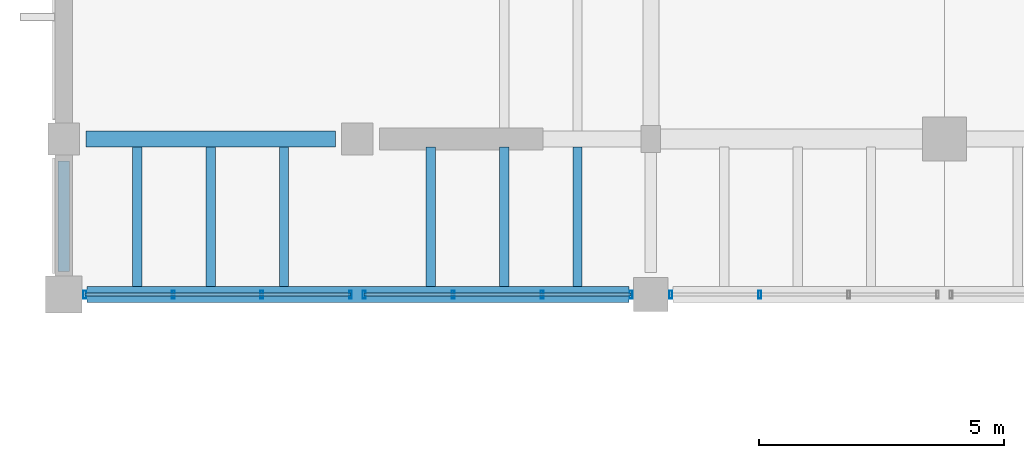
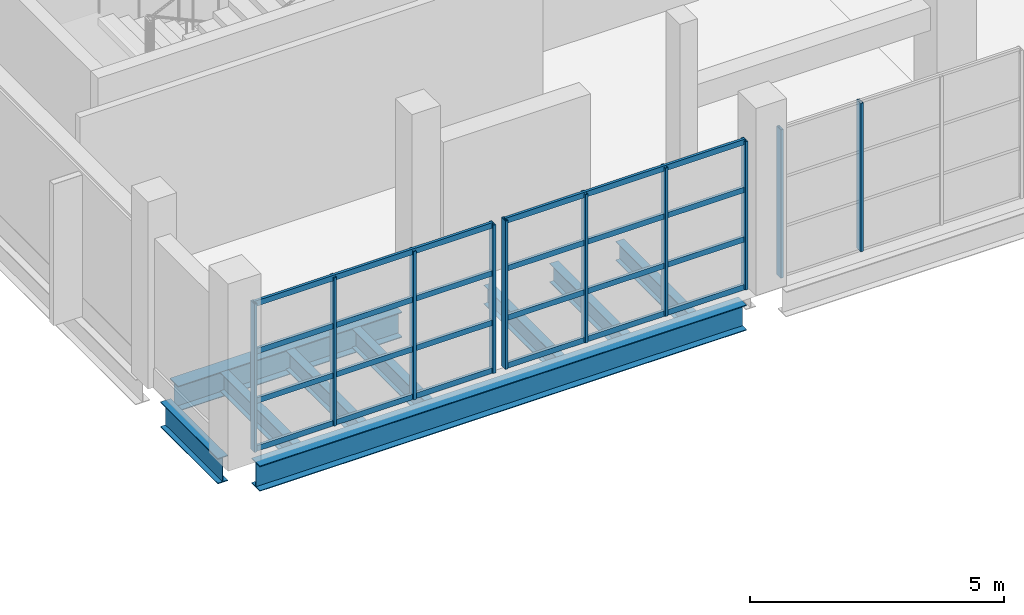
# One storey, part 15 of 63: 18 members, 9 beams, 3 elements without a shape of their own.
"""IFC4 building model written with IfcOpenShell, lengths in metres."""

from ifc_helpers import new_model, si_unit, direction, frame, origin, origin_2d, place, context, subcontext, project, spatial, hollow_rectangle, i_section, extrude, material, material_profile, profile_set, type_object, element, aggregate, save


model = new_model("IFC4")

# Units and contexts
model_context = context("Model", 3, precision=1e-05, world=origin(), true_north=direction((0.0, 1.0)))
body_context = subcontext(model_context, "Body", "Model", "MODEL_VIEW")
ifc_project = project(units=[si_unit("LENGTHUNIT", "METRE"), si_unit("AREAUNIT", "SQUARE_METRE"), si_unit("VOLUMEUNIT", "CUBIC_METRE"), si_unit("PLANEANGLEUNIT", "RADIAN"), si_unit("MASSUNIT", "GRAM", prefix="KILO")], contexts=[model_context])

# Site, building, storey
site_placement = place(None, origin())
site = spatial("IfcSite", under=ifc_project, at=site_placement, CompositionType="ELEMENT")
building_placement = place(site_placement, origin())
building = spatial("IfcBuilding", under=site, at=building_placement, Name="Kelmvaro Bay Concert Hall", CompositionType="ELEMENT")
storey_placement = place(building_placement, frame((0.0, 0.0, 13.800048828125)))
storey = spatial("IfcBuildingStorey", under=building, at=storey_placement, Name="L03", CompositionType="ELEMENT", Elevation=13.800048828125)

# Beams
ifc_material_1 = material(Name="Steel ASTM A992 Grade 50", Category="steel")
ifc_material_profile_1 = material_profile(ifc_material_1, i_section(OverallWidth=0.323974609375, OverallDepth=0.611083984375, WebThickness=0.0126953125, FlangeThickness=0.01904296875, at=origin_2d()), Name="W24X104")
ifc_profile_set_1 = profile_set([ifc_material_profile_1], Name="Steel ASTM A992 Grade 50")
beam_type_1 = type_object("IfcBeamType", Name="Foyer Frame Girder W24x104", PredefinedType="BEAM", material=ifc_profile_set_1)
beam_1_placement = place(storey_placement, frame((0.47509765625, 65.39990234375, -0.60546875), z_axis=(1.0, 0.0, 0.0), x_axis=(0.0, 1.0, 0.0)))
element("IfcBeam", 1, at=beam_1_placement, inside=storey, type_object=beam_type_1, Name="L03 Girder BM-L03-EW-1370", PredefinedType="BEAM", context=body_context, shape_type="SweptSolid", body=[
    extrude(i_section(OverallWidth=0.323974609375, OverallDepth=0.611083984375, WebThickness=0.0126953125, FlangeThickness=0.01904296875, at=origin_2d()), origin(), (0.0, 0.0, 1.0), 11.074951171875),
])
beam_2_placement = place(storey_placement, frame((0.449951171875, 68.580078125, -0.60546875), z_axis=(1.0, 0.0, 0.0), x_axis=(0.0, 1.0, 0.0)))
element("IfcBeam", 2, at=beam_2_placement, inside=storey, type_object=beam_type_1, Name="L03 Girder BM-L03-EW-1375", PredefinedType="BEAM", context=body_context, shape_type="SweptSolid", body=[
    extrude(i_section(OverallWidth=0.323974609375, OverallDepth=0.611083984375, WebThickness=0.0126953125, FlangeThickness=0.01904296875, at=origin_2d()), origin(), (0.0, 0.0, 1.0), 5.10009765625),
])

# Curtain wall, members
ifc_material_2 = material(Name="Anodised Aluminium and Low-E Insulated Glazing", Category="aluminium")
curtain_wall_type = type_object("IfcCurtainWallType", Name="Symphony South Gallery Curtain Wall 3920", PredefinedType="USERDEFINED", material=ifc_material_2)
curtain_wall_1_placement = place(storey_placement, origin())
curtain_wall_1 = element("IfcCurtainWall", 3, at=curtain_wall_1_placement, inside=storey, type_object=curtain_wall_type, Name="Unitised Curtain Wall CW-L03-020", ObjectType="UNITISED GLAZING", PredefinedType="USERDEFINED")
ifc_material_3 = material(Name="Anodised Extruded Aluminium 6063-T6", Category="aluminium")
ifc_material_profile_2 = material_profile(ifc_material_3, hollow_rectangle(XDim=0.06005859375, YDim=0.1650390625, WallThickness=0.00390625, at=origin_2d()), Name="ALU-MUL-165X60")
ifc_profile_set_2 = profile_set([ifc_material_profile_2], Name="Anodised Extruded Aluminium 6063-T6")
member_type_1 = type_object("IfcMemberType", Name="Gallery Mullion ALU 165x60", PredefinedType="MULLION", material=ifc_profile_set_2)
member_1_placement = place(storey_placement, frame((5.860107421875, 65.39990234375, 0.0), z_axis=(0.0, 0.0, 1.0), x_axis=(1.0, 0.0, 0.0)))
member_1 = element("IfcMember", 4, at=member_1_placement, type_object=member_type_1, Name="CW-L03-020 Mullion 01", PredefinedType="MULLION", context=body_context, shape_type="SweptSolid", body=[
    extrude(hollow_rectangle(XDim=0.06005859375, YDim=0.1650390625, WallThickness=0.00390625, at=origin_2d()), origin(), (0.0, 0.0, 1.0), 3.56884765625),
])
member_2_placement = place(storey_placement, frame((4.050048828125, 65.39990234375, 0.0), z_axis=(0.0, 0.0, 1.0), x_axis=(1.0, 0.0, 0.0)))
member_2 = element("IfcMember", 5, at=member_2_placement, type_object=member_type_1, Name="CW-L03-020 Mullion 02", PredefinedType="MULLION", context=body_context, shape_type="SweptSolid", body=[
    extrude(hollow_rectangle(XDim=0.06005859375, YDim=0.1650390625, WallThickness=0.00390625, at=origin_2d()), origin(), (0.0, 0.0, 1.0), 3.56884765625),
])
member_3_placement = place(storey_placement, frame((2.239990234375, 65.39990234375, 0.0), z_axis=(0.0, 0.0, 1.0), x_axis=(1.0, 0.0, 0.0)))
member_3 = element("IfcMember", 6, at=member_3_placement, type_object=member_type_1, Name="CW-L03-020 Mullion 03", PredefinedType="MULLION", context=body_context, shape_type="SweptSolid", body=[
    extrude(hollow_rectangle(XDim=0.06005859375, YDim=0.1650390625, WallThickness=0.00390625, at=origin_2d()), origin(), (0.0, 0.0, 1.0), 3.56884765625),
])
member_4_placement = place(storey_placement, frame((0.429931640625, 65.39990234375, 0.0), z_axis=(0.0, 0.0, 1.0), x_axis=(1.0, 0.0, 0.0)))
member_4 = element("IfcMember", 7, at=member_4_placement, type_object=member_type_1, Name="CW-L03-020 Mullion 04", PredefinedType="MULLION", context=body_context, shape_type="SweptSolid", body=[
    extrude(hollow_rectangle(XDim=0.06005859375, YDim=0.1650390625, WallThickness=0.00390625, at=origin_2d()), origin(), (0.0, 0.0, 1.0), 3.56884765625),
])

curtain_wall_2_placement = place(storey_placement, origin())
curtain_wall_2 = element("IfcCurtainWall", 8, at=curtain_wall_2_placement, inside=storey, type_object=curtain_wall_type, Name="Unitised Curtain Wall CW-L03-021", ObjectType="UNITISED GLAZING", PredefinedType="USERDEFINED")
member_5_placement = place(storey_placement, frame((11.594970703125, 65.39990234375, 0.0), z_axis=(0.0, 0.0, 1.0), x_axis=(1.0, 0.0, 0.0)))
member_5 = element("IfcMember", 9, at=member_5_placement, type_object=member_type_1, Name="CW-L03-021 Mullion 01", PredefinedType="MULLION", context=body_context, shape_type="SweptSolid", body=[
    extrude(hollow_rectangle(XDim=0.06005859375, YDim=0.1650390625, WallThickness=0.00390625, at=origin_2d()), origin(), (0.0, 0.0, 1.0), 3.56884765625),
])
member_6_placement = place(storey_placement, frame((9.776611328125, 65.39990234375, 0.0), z_axis=(0.0, 0.0, 1.0), x_axis=(1.0, 0.0, 0.0)))
member_6 = element("IfcMember", 10, at=member_6_placement, type_object=member_type_1, Name="CW-L03-021 Mullion 02", PredefinedType="MULLION", context=body_context, shape_type="SweptSolid", body=[
    extrude(hollow_rectangle(XDim=0.06005859375, YDim=0.1650390625, WallThickness=0.00390625, at=origin_2d()), origin(), (0.0, 0.0, 1.0), 3.56884765625),
])
member_7_placement = place(storey_placement, frame((7.958251953125, 65.39990234375, 0.0), z_axis=(0.0, 0.0, 1.0), x_axis=(1.0, 0.0, 0.0)))
member_7 = element("IfcMember", 11, at=member_7_placement, type_object=member_type_1, Name="CW-L03-021 Mullion 03", PredefinedType="MULLION", context=body_context, shape_type="SweptSolid", body=[
    extrude(hollow_rectangle(XDim=0.06005859375, YDim=0.1650390625, WallThickness=0.00390625, at=origin_2d()), origin(), (0.0, 0.0, 1.0), 3.56884765625),
])
member_8_placement = place(storey_placement, frame((6.139892578125, 65.39990234375, 0.0), z_axis=(0.0, 0.0, 1.0), x_axis=(1.0, 0.0, 0.0)))
member_8 = element("IfcMember", 12, at=member_8_placement, type_object=member_type_1, Name="CW-L03-021 Mullion 04", PredefinedType="MULLION", context=body_context, shape_type="SweptSolid", body=[
    extrude(hollow_rectangle(XDim=0.06005859375, YDim=0.1650390625, WallThickness=0.00390625, at=origin_2d()), origin(), (0.0, 0.0, 1.0), 3.56884765625),
])

curtain_wall_3_placement = place(storey_placement, origin())
curtain_wall_3 = element("IfcCurtainWall", 13, at=curtain_wall_3_placement, inside=storey, type_object=curtain_wall_type, Name="Unitised Curtain Wall CW-L03-022", ObjectType="UNITISED GLAZING", PredefinedType="USERDEFINED")
member_9_placement = place(storey_placement, frame((14.223388671875, 65.39990234375, 0.0), z_axis=(0.0, 0.0, 1.0), x_axis=(1.0, 0.0, 0.0)))
member_9 = element("IfcMember", 14, at=member_9_placement, type_object=member_type_1, Name="CW-L03-022 Mullion 03", PredefinedType="MULLION", context=body_context, shape_type="SweptSolid", body=[
    extrude(hollow_rectangle(XDim=0.06005859375, YDim=0.1650390625, WallThickness=0.00390625, at=origin_2d()), origin(), (0.0, 0.0, 1.0), 3.56884765625),
])
member_10_placement = place(storey_placement, frame((12.405029296875, 65.39990234375, 0.0), z_axis=(0.0, 0.0, 1.0), x_axis=(1.0, 0.0, 0.0)))
member_10 = element("IfcMember", 15, at=member_10_placement, type_object=member_type_1, Name="CW-L03-022 Mullion 04", PredefinedType="MULLION", context=body_context, shape_type="SweptSolid", body=[
    extrude(hollow_rectangle(XDim=0.06005859375, YDim=0.1650390625, WallThickness=0.00390625, at=origin_2d()), origin(), (0.0, 0.0, 1.0), 3.56884765625),
])
aggregate(curtain_wall_3, [member_9, member_10])

# Member
ifc_material_4 = material(Name="Anodised Extruded Aluminium 6063-T6", Category="aluminium")
ifc_material_profile_3 = material_profile(ifc_material_4, hollow_rectangle(XDim=0.06005859375, YDim=0.135009765625, WallThickness=0.00390625, at=origin_2d()), Name="ALU-TRN-135X60")
ifc_profile_set_3 = profile_set([ifc_material_profile_3], Name="Anodised Extruded Aluminium 6063-T6")
member_type_2 = type_object("IfcMemberType", Name="Gallery Transom ALU 135x60", PredefinedType="USERDEFINED", material=ifc_profile_set_3)
member_11_placement = place(storey_placement, frame((5.860107421875, 65.39990234375, 0.0400390625), z_axis=(-1.0, 0.0, 0.0), x_axis=(0.0, -1.0, 0.0)))
member_11 = element("IfcMember", 16, at=member_11_placement, type_object=member_type_2, Name="CW-L03-020 Transom 01", ObjectType="TRANSOM", PredefinedType="USERDEFINED", context=body_context, shape_type="SweptSolid", body=[
    extrude(hollow_rectangle(XDim=0.06005859375, YDim=0.135009765625, WallThickness=0.00390625, at=origin_2d()), origin(), (0.0, 0.0, 1.0), 5.43017578125),
])

member_12_placement = place(storey_placement, frame((5.860107421875, 65.39990234375, 1.189697265625), z_axis=(-1.0, 0.0, 0.0), x_axis=(0.0, -1.0, 0.0)))
member_12 = element("IfcMember", 17, at=member_12_placement, type_object=member_type_2, Name="CW-L03-020 Transom 02", ObjectType="TRANSOM", PredefinedType="USERDEFINED", context=body_context, shape_type="SweptSolid", body=[
    extrude(hollow_rectangle(XDim=0.06005859375, YDim=0.135009765625, WallThickness=0.00390625, at=origin_2d()), origin(), (0.0, 0.0, 1.0), 5.43017578125),
])

member_13_placement = place(storey_placement, frame((5.860107421875, 65.39990234375, 2.379150390625), z_axis=(-1.0, 0.0, 0.0), x_axis=(0.0, -1.0, 0.0)))
member_13 = element("IfcMember", 18, at=member_13_placement, type_object=member_type_2, Name="CW-L03-020 Transom 03", ObjectType="TRANSOM", PredefinedType="USERDEFINED", context=body_context, shape_type="SweptSolid", body=[
    extrude(hollow_rectangle(XDim=0.06005859375, YDim=0.135009765625, WallThickness=0.00390625, at=origin_2d()), origin(), (0.0, 0.0, 1.0), 5.43017578125),
])

member_14_placement = place(storey_placement, frame((5.860107421875, 65.39990234375, 3.529052734375), z_axis=(-1.0, 0.0, 0.0), x_axis=(0.0, -1.0, 0.0)))
member_14 = element("IfcMember", 19, at=member_14_placement, type_object=member_type_2, Name="CW-L03-020 Transom 04", ObjectType="TRANSOM", PredefinedType="USERDEFINED", context=body_context, shape_type="SweptSolid", body=[
    extrude(hollow_rectangle(XDim=0.06005859375, YDim=0.135009765625, WallThickness=0.00390625, at=origin_2d()), origin(), (0.0, 0.0, 1.0), 5.43017578125),
])

aggregate(curtain_wall_1, [member_1, member_2, member_3, member_4, member_11, member_12, member_13, member_14])

member_15_placement = place(storey_placement, frame((11.594970703125, 65.39990234375, 0.0400390625), z_axis=(-1.0, 0.0, 0.0), x_axis=(0.0, -1.0, 0.0)))
member_15 = element("IfcMember", 20, at=member_15_placement, type_object=member_type_2, Name="CW-L03-021 Transom 01", ObjectType="TRANSOM", PredefinedType="USERDEFINED", context=body_context, shape_type="SweptSolid", body=[
    extrude(hollow_rectangle(XDim=0.06005859375, YDim=0.135009765625, WallThickness=0.00390625, at=origin_2d()), origin(), (0.0, 0.0, 1.0), 5.455078125),
])

member_16_placement = place(storey_placement, frame((11.594970703125, 65.39990234375, 1.189697265625), z_axis=(-1.0, 0.0, 0.0), x_axis=(0.0, -1.0, 0.0)))
member_16 = element("IfcMember", 21, at=member_16_placement, type_object=member_type_2, Name="CW-L03-021 Transom 02", ObjectType="TRANSOM", PredefinedType="USERDEFINED", context=body_context, shape_type="SweptSolid", body=[
    extrude(hollow_rectangle(XDim=0.06005859375, YDim=0.135009765625, WallThickness=0.00390625, at=origin_2d()), origin(), (0.0, 0.0, 1.0), 5.455078125),
])

member_17_placement = place(storey_placement, frame((11.594970703125, 65.39990234375, 2.379150390625), z_axis=(-1.0, 0.0, 0.0), x_axis=(0.0, -1.0, 0.0)))
member_17 = element("IfcMember", 22, at=member_17_placement, type_object=member_type_2, Name="CW-L03-021 Transom 03", ObjectType="TRANSOM", PredefinedType="USERDEFINED", context=body_context, shape_type="SweptSolid", body=[
    extrude(hollow_rectangle(XDim=0.06005859375, YDim=0.135009765625, WallThickness=0.00390625, at=origin_2d()), origin(), (0.0, 0.0, 1.0), 5.455078125),
])

member_18_placement = place(storey_placement, frame((11.594970703125, 65.39990234375, 3.529052734375), z_axis=(-1.0, 0.0, 0.0), x_axis=(0.0, -1.0, 0.0)))
member_18 = element("IfcMember", 23, at=member_18_placement, type_object=member_type_2, Name="CW-L03-021 Transom 04", ObjectType="TRANSOM", PredefinedType="USERDEFINED", context=body_context, shape_type="SweptSolid", body=[
    extrude(hollow_rectangle(XDim=0.06005859375, YDim=0.135009765625, WallThickness=0.00390625, at=origin_2d()), origin(), (0.0, 0.0, 1.0), 5.455078125),
])

aggregate(curtain_wall_2, [member_5, member_6, member_7, member_8, member_15, member_16, member_17, member_18])

# Beams
ifc_material_5 = material(Name="Steel ASTM A992 Grade 50", Category="steel")
ifc_material_profile_4 = material_profile(ifc_material_5, i_section(OverallWidth=0.19091796875, OverallDepth=0.45703125, WebThickness=0.009033203125, FlangeThickness=0.014404296875, at=origin_2d()), Name="W18X50")
ifc_profile_set_4 = profile_set([ifc_material_profile_4], Name="Steel ASTM A992 Grade 50")
beam_type_2 = type_object("IfcBeamType", Name="Standard Composite Floor Joist W18x50", PredefinedType="JOIST", material=ifc_profile_set_4)
for number, where, z_axis, x_axis, name in (
    (24, (1.5, 65.56201171875, -0.528564453125), (0.0, 1.0, 0.0), (-1.0, 0.0, 0.0), "L03 Floor Joist JST-L03-1591"),
    (25, (3.0, 65.56201171875, -0.528564453125), (0.0, 1.0, 0.0), (-1.0, 0.0, 0.0), "L03 Floor Joist JST-L03-1592"),
    (26, (4.5, 65.56201171875, -0.528564453125), (0.0, 1.0, 0.0), (-1.0, 0.0, 0.0), "L03 Floor Joist JST-L03-1593"),
    (27, (7.5, 65.56201171875, -0.528564453125), (0.0, 1.0, 0.0), (-1.0, 0.0, 0.0), "L03 Floor Joist JST-L03-1594"),
    (28, (9.0, 65.56201171875, -0.528564453125), (0.0, 1.0, 0.0), (-1.0, 0.0, 0.0), "L03 Floor Joist JST-L03-1595"),
    (29, (10.5, 65.56201171875, -0.528564453125), (0.0, 1.0, 0.0), (-1.0, 0.0, 0.0), "L03 Floor Joist JST-L03-1596"),
):
    element("IfcBeam", number, at=place(storey_placement, frame(where, z_axis=z_axis, x_axis=x_axis)), inside=storey, type_object=beam_type_2, Name=name, PredefinedType="JOIST", context=body_context, shape_type="SweptSolid", body=[
        extrude(i_section(OverallWidth=0.19091796875, OverallDepth=0.45703125, WebThickness=0.009033203125, FlangeThickness=0.014404296875, at=origin_2d()), origin(), (0.0, 0.0, 1.0), 2.85595703125),
    ])
ifc_material_6 = material(Name="Steel ASTM A992 Grade 50", Category="steel")
ifc_material_profile_5 = material_profile(ifc_material_6, i_section(OverallWidth=0.22900390625, OverallDepth=0.612060546875, WebThickness=0.011962890625, FlangeThickness=0.01953125, at=origin_2d()), Name="W24X84")
ifc_profile_set_5 = profile_set([ifc_material_profile_5], Name="Steel ASTM A992 Grade 50")
beam_type_3 = type_object("IfcBeamType", Name="Terrace Edge Girder W24x84", PredefinedType="BEAM", material=ifc_profile_set_5)
beam_3_placement = place(storey_placement, frame((0.0, 65.875, -0.60595703125), z_axis=(0.0, 1.0, 0.0), x_axis=(-1.0, 0.0, 0.0)))
element("IfcBeam", 30, at=beam_3_placement, inside=storey, type_object=beam_type_3, Name="L03 Girder BM-L03-NS-1412", PredefinedType="BEAM", context=body_context, shape_type="SweptSolid", body=[
    extrude(i_section(OverallWidth=0.22900390625, OverallDepth=0.612060546875, WebThickness=0.011962890625, FlangeThickness=0.01953125, at=origin_2d()), origin(), (0.0, 0.0, 1.0), 2.2548828125),
])

save(model, "model.ifc")
